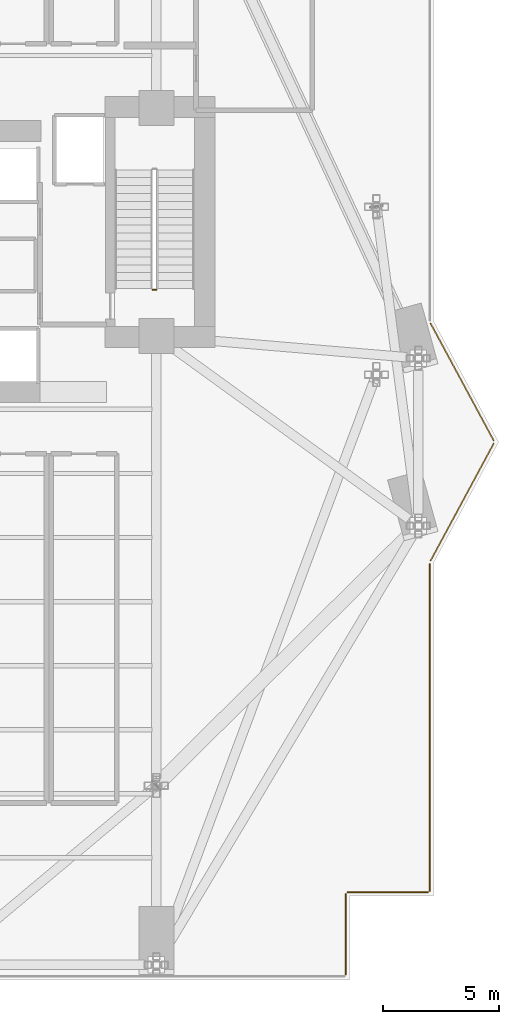
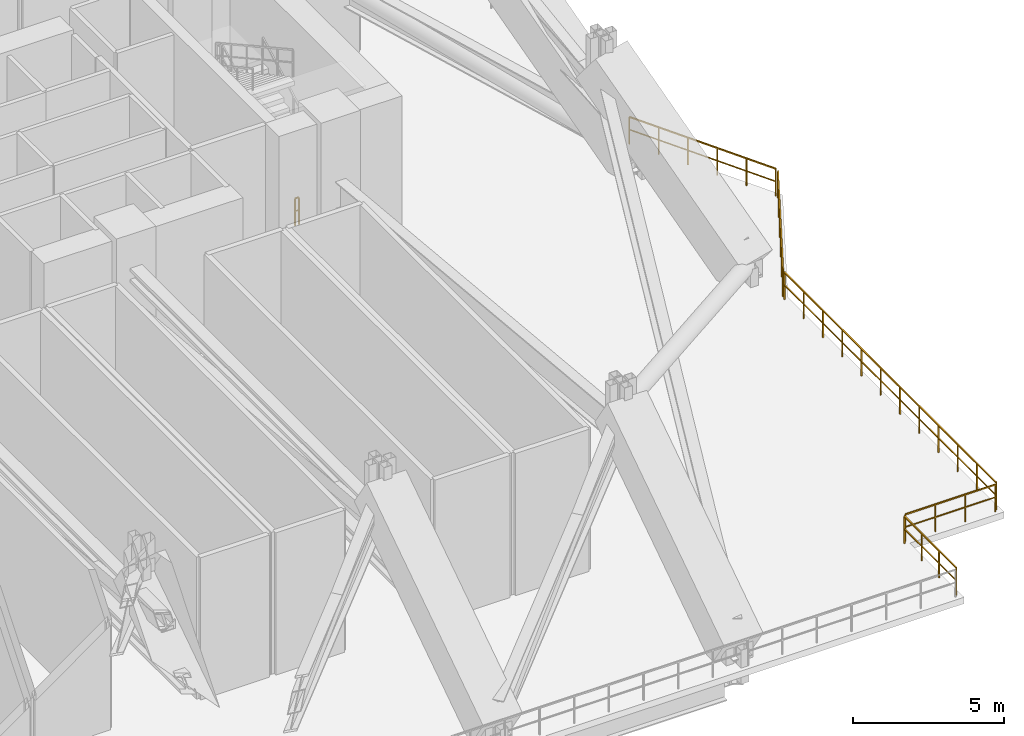
# One storey, part 18 of 21: 6 railings.
"""IFC4 building model written with IfcOpenShell, lengths in metres."""

from ifc_helpers import new_model, si_unit, direction, frame, origin, origin_2d, place, context, subcontext, project, spatial, rectangle, extrude, material, type_object, element, save


model = new_model("IFC4")

# Units and contexts
model_context = context("Model", 3, precision=1e-05, world=origin(), true_north=direction((0.0, 1.0)))
body_context = subcontext(model_context, "Body", "Model", "MODEL_VIEW")
ifc_project = project(units=[si_unit("LENGTHUNIT", "METRE"), si_unit("AREAUNIT", "SQUARE_METRE"), si_unit("VOLUMEUNIT", "CUBIC_METRE"), si_unit("PLANEANGLEUNIT", "RADIAN"), si_unit("MASSUNIT", "GRAM", prefix="KILO")], contexts=[model_context])

# Site, building, storey
site_placement = place(None, origin())
site = spatial("IfcSite", under=ifc_project, at=site_placement, CompositionType="ELEMENT")
building_placement = place(site_placement, origin())
building = spatial("IfcBuilding", under=site, at=building_placement, Name="Zuhayl Quay Hotel", CompositionType="ELEMENT")
storey_placement = place(building_placement, frame((0.0, 0.0, 89.64990234375)))
storey = spatial("IfcBuildingStorey", under=building, at=storey_placement, Name="L22", CompositionType="ELEMENT", Elevation=89.64990234375)

# Railings
ifc_material_1 = material(Name="Anodised Aluminium and Laminated Glass", Category="aluminium")
railing_type_1 = type_object("IfcRailingType", Name="RL_EXT_BAL_1100", PredefinedType="BALUSTRADE", material=ifc_material_1)
railing_1_placement = place(storey_placement, frame((25.577880859375, 5.089111328125, 0.0)))
element("IfcRailing", 1, at=railing_1_placement, inside=storey, type_object=railing_type_1, Name="L22 Balcony and Terrace Guard GR_WIND_L22_13", PredefinedType="BALUSTRADE", context=body_context, shape_type="SweptSolid", body=[
    extrude(rectangle(XDim=0.048095703125, YDim=0.048095703125, at=origin_2d()), frame((0.0, 0.0, 1.09619140625), z_axis=(0.474127917691, -0.880455971452, 0.0), x_axis=(0.880455971452, 0.474127917691, 0.0)), (0.0, 0.0, 1.0), 5.7001953125),
    extrude(rectangle(XDim=0.0361328125, YDim=0.0361328125, at=origin_2d()), frame((0.0, 0.0, 0.58251953125), z_axis=(0.474127917691, -0.880455971452, 0.0), x_axis=(0.880455971452, 0.474127917691, 0.0)), (0.0, 0.0, 1.0), 5.7001953125),
    extrude(rectangle(XDim=0.0419921875, YDim=0.0419921875, at=origin_2d()), origin(), (0.0, 0.0, 1.0), 1.072021484375),
    extrude(rectangle(XDim=0.0419921875, YDim=0.0419921875, at=origin_2d()), frame((0.54052734375, -1.003662109375, 0.0)), (0.0, 0.0, 1.0), 1.072021484375),
    extrude(rectangle(XDim=0.0419921875, YDim=0.0419921875, at=origin_2d()), frame((1.0810546875, -2.007568359375, 0.0)), (0.0, 0.0, 1.0), 1.072021484375),
    extrude(rectangle(XDim=0.0419921875, YDim=0.0419921875, at=origin_2d()), frame((1.62158203125, -3.01123046875, 0.0)), (0.0, 0.0, 1.0), 1.072021484375),
    extrude(rectangle(XDim=0.0419921875, YDim=0.0419921875, at=origin_2d()), frame((2.162109375, -4.01513671875, 0.0)), (0.0, 0.0, 1.0), 1.072021484375),
    extrude(rectangle(XDim=0.0419921875, YDim=0.0419921875, at=origin_2d()), frame((2.70263671875, -5.018798828125, 0.0)), (0.0, 0.0, 1.0), 1.072021484375),
])
railing_2_placement = place(storey_placement, frame((28.280517578125, -0.0703125, 0.0)))
element("IfcRailing", 2, at=railing_2_placement, inside=storey, type_object=railing_type_1, Name="L22 Balcony and Terrace Guard GR_WIND_L22_14", PredefinedType="BALUSTRADE", context=body_context, shape_type="SweptSolid", body=[
    extrude(rectangle(XDim=0.048095703125, YDim=0.048095703125, at=origin_2d()), frame((0.0, 0.0, 1.09619140625), z_axis=(-0.474127917691, -0.880455971452, 0.0), x_axis=(0.880455971452, -0.474127917691, 0.0)), (0.0, 0.0, 1.0), 5.7001953125),
    extrude(rectangle(XDim=0.0361328125, YDim=0.0361328125, at=origin_2d()), frame((0.0, 0.0, 0.58251953125), z_axis=(-0.474127917691, -0.880455971452, 0.0), x_axis=(0.880455971452, -0.474127917691, 0.0)), (0.0, 0.0, 1.0), 5.7001953125),
    extrude(rectangle(XDim=0.0419921875, YDim=0.0419921875, at=origin_2d()), origin(), (0.0, 0.0, 1.0), 1.072021484375),
    extrude(rectangle(XDim=0.0419921875, YDim=0.0419921875, at=origin_2d()), frame((-0.54052734375, -1.003662109375, 0.0)), (0.0, 0.0, 1.0), 1.072021484375),
    extrude(rectangle(XDim=0.0419921875, YDim=0.0419921875, at=origin_2d()), frame((-1.0810546875, -2.007568359375, 0.0)), (0.0, 0.0, 1.0), 1.072021484375),
    extrude(rectangle(XDim=0.0419921875, YDim=0.0419921875, at=origin_2d()), frame((-1.62158203125, -3.01123046875, 0.0)), (0.0, 0.0, 1.0), 1.072021484375),
    extrude(rectangle(XDim=0.0419921875, YDim=0.0419921875, at=origin_2d()), frame((-2.162109375, -4.01513671875, 0.0)), (0.0, 0.0, 1.0), 1.072021484375),
    extrude(rectangle(XDim=0.0419921875, YDim=0.0419921875, at=origin_2d()), frame((-2.70263671875, -5.018798828125, 0.0)), (0.0, 0.0, 1.0), 1.072021484375),
])
railing_3_placement = place(storey_placement, frame((25.5400390625, -5.23974609375, 0.0)))
element("IfcRailing", 3, at=railing_3_placement, inside=storey, type_object=railing_type_1, Name="L22 Balcony and Terrace Guard GR_WIND_L22_15", PredefinedType="BALUSTRADE", context=body_context, shape_type="SweptSolid", body=[
    extrude(rectangle(XDim=0.048095703125, YDim=0.048095703125, at=origin_2d()), frame((0.0, 0.0, 1.09619140625), z_axis=(0.0, -1.0, 0.0), x_axis=(1.0, 0.0, 0.0)), (0.0, 0.0, 1.0), 14.020263671875),
    extrude(rectangle(XDim=0.0361328125, YDim=0.0361328125, at=origin_2d()), frame((0.0, 0.0, 0.58251953125), z_axis=(0.0, -1.0, 0.0), x_axis=(1.0, 0.0, 0.0)), (0.0, 0.0, 1.0), 14.020263671875),
    extrude(rectangle(XDim=0.0419921875, YDim=0.0419921875, at=origin_2d()), origin(), (0.0, 0.0, 1.0), 1.072021484375),
    extrude(rectangle(XDim=0.0419921875, YDim=0.0419921875, at=origin_2d()), frame((0.0, -1.274658203125, 0.0)), (0.0, 0.0, 1.0), 1.072021484375),
    extrude(rectangle(XDim=0.0419921875, YDim=0.0419921875, at=origin_2d()), frame((0.0, -2.549072265625, 0.0)), (0.0, 0.0, 1.0), 1.072021484375),
    extrude(rectangle(XDim=0.0419921875, YDim=0.0419921875, at=origin_2d()), frame((0.0, -3.82373046875, 0.0)), (0.0, 0.0, 1.0), 1.072021484375),
    extrude(rectangle(XDim=0.0419921875, YDim=0.0419921875, at=origin_2d()), frame((0.0, -5.098388671875, 0.0)), (0.0, 0.0, 1.0), 1.072021484375),
    extrude(rectangle(XDim=0.0419921875, YDim=0.0419921875, at=origin_2d()), frame((0.0, -6.372802734375, 0.0)), (0.0, 0.0, 1.0), 1.072021484375),
    extrude(rectangle(XDim=0.0419921875, YDim=0.0419921875, at=origin_2d()), frame((0.0, -7.6474609375, 0.0)), (0.0, 0.0, 1.0), 1.072021484375),
    extrude(rectangle(XDim=0.0419921875, YDim=0.0419921875, at=origin_2d()), frame((0.0, -8.921875, 0.0)), (0.0, 0.0, 1.0), 1.072021484375),
    extrude(rectangle(XDim=0.0419921875, YDim=0.0419921875, at=origin_2d()), frame((0.0, -10.196533203125, 0.0)), (0.0, 0.0, 1.0), 1.072021484375),
    extrude(rectangle(XDim=0.0419921875, YDim=0.0419921875, at=origin_2d()), frame((0.0, -11.47119140625, 0.0)), (0.0, 0.0, 1.0), 1.072021484375),
    extrude(rectangle(XDim=0.0419921875, YDim=0.0419921875, at=origin_2d()), frame((0.0, -12.74560546875, 0.0)), (0.0, 0.0, 1.0), 1.072021484375),
    extrude(rectangle(XDim=0.0419921875, YDim=0.0419921875, at=origin_2d()), frame((0.0, -14.020263671875, 0.0)), (0.0, 0.0, 1.0), 1.072021484375),
])
railing_4_placement = place(storey_placement, frame((25.4599609375, -19.340087890625, 0.0)))
element("IfcRailing", 4, at=railing_4_placement, inside=storey, type_object=railing_type_1, Name="L22 Balcony and Terrace Guard GR_WIND_L22_16", PredefinedType="BALUSTRADE", context=body_context, shape_type="SweptSolid", body=[
    extrude(rectangle(XDim=0.048095703125, YDim=0.048095703125, at=origin_2d()), frame((0.0, 0.0, 1.09619140625), z_axis=(-1.0, 0.0, 0.0), x_axis=(0.0, -1.0, 0.0)), (0.0, 0.0, 1.0), 3.43994140625),
    extrude(rectangle(XDim=0.0361328125, YDim=0.0361328125, at=origin_2d()), frame((0.0, 0.0, 0.58251953125), z_axis=(-1.0, 0.0, 0.0), x_axis=(0.0, -1.0, 0.0)), (0.0, 0.0, 1.0), 3.43994140625),
    extrude(rectangle(XDim=0.0419921875, YDim=0.0419921875, at=origin_2d()), origin(), (0.0, 0.0, 1.0), 1.072021484375),
    extrude(rectangle(XDim=0.0419921875, YDim=0.0419921875, at=origin_2d()), frame((-1.146728515625, 0.0, 0.0)), (0.0, 0.0, 1.0), 1.072021484375),
    extrude(rectangle(XDim=0.0419921875, YDim=0.0419921875, at=origin_2d()), frame((-2.293212890625, 0.0, 0.0)), (0.0, 0.0, 1.0), 1.072021484375),
    extrude(rectangle(XDim=0.0419921875, YDim=0.0419921875, at=origin_2d()), frame((-3.43994140625, 0.0, 0.0)), (0.0, 0.0, 1.0), 1.072021484375),
])
railing_5_placement = place(storey_placement, frame((21.93994140625, -19.419921875, 0.0)))
element("IfcRailing", 5, at=railing_5_placement, inside=storey, type_object=railing_type_1, Name="L22 Balcony and Terrace Guard GR_WIND_L22_17", PredefinedType="BALUSTRADE", context=body_context, shape_type="SweptSolid", body=[
    extrude(rectangle(XDim=0.048095703125, YDim=0.048095703125, at=origin_2d()), frame((0.0, 0.0, 1.09619140625), z_axis=(0.0, -1.0, 0.0), x_axis=(1.0, 0.0, 0.0)), (0.0, 0.0, 1.0), 3.440185546875),
    extrude(rectangle(XDim=0.0361328125, YDim=0.0361328125, at=origin_2d()), frame((0.0, 0.0, 0.58251953125), z_axis=(0.0, -1.0, 0.0), x_axis=(1.0, 0.0, 0.0)), (0.0, 0.0, 1.0), 3.440185546875),
    extrude(rectangle(XDim=0.0419921875, YDim=0.0419921875, at=origin_2d()), origin(), (0.0, 0.0, 1.0), 1.072021484375),
    extrude(rectangle(XDim=0.0419921875, YDim=0.0419921875, at=origin_2d()), frame((0.0, -1.146728515625, 0.0)), (0.0, 0.0, 1.0), 1.072021484375),
    extrude(rectangle(XDim=0.0419921875, YDim=0.0419921875, at=origin_2d()), frame((0.0, -2.29345703125, 0.0)), (0.0, 0.0, 1.0), 1.072021484375),
    extrude(rectangle(XDim=0.0419921875, YDim=0.0419921875, at=origin_2d()), frame((0.0, -3.440185546875, 0.0)), (0.0, 0.0, 1.0), 1.072021484375),
])
ifc_material_2 = material(Name="Steel ASTM A992 Grade 50", Category="steel")
railing_type_2 = type_object("IfcRailingType", Name="RL_GUARD_1100", PredefinedType="GUARDRAIL", material=ifc_material_2)
railing_6_placement = place(storey_placement, frame((13.7900390625, 6.5400390625, 0.0)))
element("IfcRailing", 6, at=railing_6_placement, inside=storey, type_object=railing_type_2, Name="L22 ST2 stair guard 4", PredefinedType="GUARDRAIL", context=body_context, shape_type="SweptSolid", body=[
    extrude(rectangle(XDim=0.048095703125, YDim=0.048095703125, at=origin_2d()), frame((0.0, 0.0, 1.09619140625), z_axis=(-1.0, 0.0, 0.0), x_axis=(0.0, -1.0, 0.0)), (0.0, 0.0, 1.0), 0.150146484375),
    extrude(rectangle(XDim=0.0361328125, YDim=0.0361328125, at=origin_2d()), frame((0.0, 0.0, 0.58251953125), z_axis=(-1.0, 0.0, 0.0), x_axis=(0.0, -1.0, 0.0)), (0.0, 0.0, 1.0), 0.150146484375),
    extrude(rectangle(XDim=0.0419921875, YDim=0.0419921875, at=origin_2d()), origin(), (0.0, 0.0, 1.0), 1.072021484375),
    extrude(rectangle(XDim=0.0419921875, YDim=0.0419921875, at=origin_2d()), frame((-0.150146484375, 0.0, 0.0)), (0.0, 0.0, 1.0), 1.072021484375),
])

save(model, "model.ifc")
